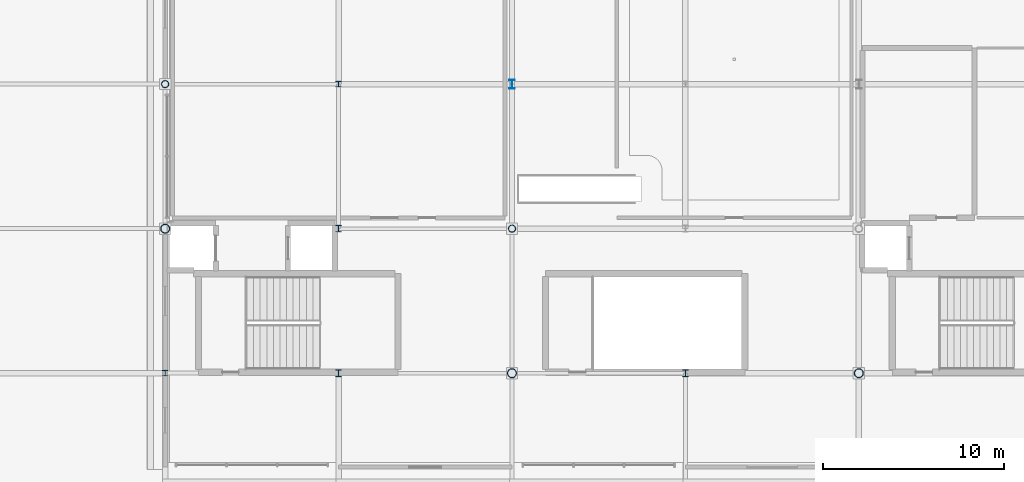
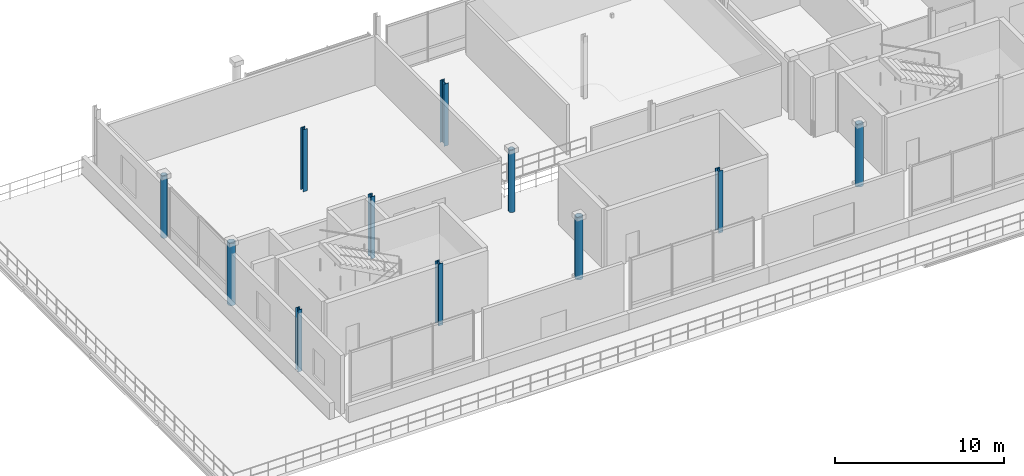
# One storey, part 1 of 26: 11 columns.
"""IFC4 building model written with IfcOpenShell, lengths in metres."""

from ifc_helpers import new_model, si_unit, direction, frame, origin, origin_2d, place, context, subcontext, project, spatial, hollow_circle, i_section, extrude, material, material_profile, profile_set, type_object, element, save


model = new_model("IFC4")

# Units and contexts
model_context = context("Model", 3, precision=1e-05, world=origin(), true_north=direction((0.0, 1.0)))
body_context = subcontext(model_context, "Body", "Model", "MODEL_VIEW")
ifc_project = project(units=[si_unit("LENGTHUNIT", "METRE"), si_unit("AREAUNIT", "SQUARE_METRE"), si_unit("VOLUMEUNIT", "CUBIC_METRE"), si_unit("PLANEANGLEUNIT", "RADIAN"), si_unit("MASSUNIT", "GRAM", prefix="KILO")], contexts=[model_context])

# Site, building, storey
site_placement = place(None, origin())
site = spatial("IfcSite", under=ifc_project, at=site_placement, CompositionType="ELEMENT")
building_placement = place(site_placement, origin())
building = spatial("IfcBuilding", under=site, at=building_placement, Name="Danafjord Basin Convention Centre", CompositionType="ELEMENT")
storey_placement = place(building_placement, frame((0.0, 0.0, 24.89990234375)))
storey = spatial("IfcBuildingStorey", under=building, at=storey_placement, Name="L05", CompositionType="ELEMENT", Elevation=24.89990234375)

# Columns
ifc_material = material(Name="Steel S355", Category="steel")
ifc_material_profile_1 = material_profile(ifc_material, hollow_circle(Radius=0.203125, WallThickness=0.02001953125, at=origin_2d()), Name="CHS 406.4x20.0")
ifc_profile_set_1 = profile_set([ifc_material_profile_1], Name="Steel S355")
column_type_1 = type_object("IfcColumnType", Name="COL-C-CHS406", PredefinedType="COLUMN", material=ifc_profile_set_1)
for number, where, z_axis, x_axis, name in (
    (1, (9.60009765625, 32.0, 0.0), (0.0, 0.0, 1.0), (1.0, 0.0, 0.0), "L05 column C-CHS406 at (9.6, 32.0)"),
    (2, (28.800048828125, 24.0, 0.0), (0.0, 0.0, 1.0), (1.0, 0.0, 0.0), "L05 column C-CHS406 at (28.8, 24.0)"),
):
    element("IfcColumn", number, at=place(storey_placement, frame(where, z_axis=z_axis, x_axis=x_axis)), inside=storey, type_object=column_type_1, Name=name, PredefinedType="COLUMN", context=body_context, shape_type="SweptSolid", body=[
        extrude(hollow_circle(Radius=0.203125, WallThickness=0.02001953125, at=origin_2d()), origin(), (0.0, 0.0, 1.0), 4.5),
    ])
ifc_material_profile_2 = material_profile(ifc_material, hollow_circle(Radius=0.25390625, WallThickness=0.02490234375, at=origin_2d()), Name="CHS 508.0x25.0")
ifc_profile_set_2 = profile_set([ifc_material_profile_2], Name="Steel S355")
column_type_2 = type_object("IfcColumnType", Name="COL-C-CHS508", PredefinedType="COLUMN", material=ifc_profile_set_2)
for number, where, z_axis, x_axis, name in (
    (3, (9.60009765625, 24.0, 0.0), (0.0, 0.0, 1.0), (1.0, 0.0, 0.0), "L05 column C-CHS508 at (9.6, 24.0)"),
    (4, (28.800048828125, 16.0, 0.0), (0.0, 0.0, 1.0), (1.0, 0.0, 0.0), "L05 column C-CHS508 at (28.8, 16.0)"),
    (5, (48.0, 16.0, 0.0), (0.0, 0.0, 1.0), (1.0, 0.0, 0.0), "L05 column C-CHS508 at (48.0, 16.0)"),
):
    element("IfcColumn", number, at=place(storey_placement, frame(where, z_axis=z_axis, x_axis=x_axis)), inside=storey, type_object=column_type_2, Name=name, PredefinedType="COLUMN", context=body_context, shape_type="SweptSolid", body=[
        extrude(hollow_circle(Radius=0.25390625, WallThickness=0.02490234375, at=origin_2d()), origin(), (0.0, 0.0, 1.0), 4.5),
    ])
ifc_material_profile_3 = material_profile(ifc_material, i_section(OverallWidth=0.300048828125, OverallDepth=0.300048828125, WebThickness=0.010986328125, FlangeThickness=0.01904296875, FilletRadius=0.027099609375, at=origin_2d()), Name="HEB 300")
ifc_profile_set_3 = profile_set([ifc_material_profile_3], Name="Steel S355")
column_type_3 = type_object("IfcColumnType", Name="COL-C-HEB300", PredefinedType="COLUMN", material=ifc_profile_set_3)
for number, where, z_axis, x_axis, name in (
    (6, (9.60009765625, 16.0, 0.0), (0.0, 0.0, 1.0), (1.0, 0.0, 0.0), "L05 column C-HEB300 at (9.6, 16.0)"),
    (7, (19.199951171875, 32.0, 0.0), (0.0, 0.0, 1.0), (1.0, 0.0, 0.0), "L05 column C-HEB300 at (19.2, 32.0)"),
):
    element("IfcColumn", number, at=place(storey_placement, frame(where, z_axis=z_axis, x_axis=x_axis)), inside=storey, type_object=column_type_3, Name=name, PredefinedType="COLUMN", context=body_context, shape_type="SweptSolid", body=[
        extrude(i_section(OverallWidth=0.300048828125, OverallDepth=0.300048828125, WebThickness=0.010986328125, FlangeThickness=0.01904296875, FilletRadius=0.027099609375, at=origin_2d()), origin(), (0.0, 0.0, 1.0), 4.5),
    ])
ifc_material_profile_4 = material_profile(ifc_material, i_section(OverallWidth=0.300048828125, OverallDepth=0.360107421875, WebThickness=0.012451171875, FlangeThickness=0.0224609375, FilletRadius=0.027099609375, at=origin_2d()), Name="HEB 360")
ifc_profile_set_4 = profile_set([ifc_material_profile_4], Name="Steel S355")
column_type_4 = type_object("IfcColumnType", Name="COL-C-HEB360", PredefinedType="COLUMN", material=ifc_profile_set_4)
column_1_placement = place(storey_placement, frame((19.199951171875, 24.0, 0.0), z_axis=(0.0, 0.0, 1.0), x_axis=(1.0, 0.0, 0.0)))
element("IfcColumn", 8, at=column_1_placement, inside=storey, type_object=column_type_4, Name="L05 column C-HEB360 at (19.2, 24.0)", PredefinedType="COLUMN", context=body_context, shape_type="SweptSolid", body=[
    extrude(i_section(OverallWidth=0.300048828125, OverallDepth=0.360107421875, WebThickness=0.012451171875, FlangeThickness=0.0224609375, FilletRadius=0.027099609375, at=origin_2d()), origin(), (0.0, 0.0, 1.0), 4.5),
])
ifc_material_profile_5 = material_profile(ifc_material, i_section(OverallWidth=0.300048828125, OverallDepth=0.39990234375, WebThickness=0.013427734375, FlangeThickness=0.02392578125, FilletRadius=0.027099609375, at=origin_2d()), Name="HEB 400")
ifc_profile_set_5 = profile_set([ifc_material_profile_5], Name="Steel S355")
column_type_5 = type_object("IfcColumnType", Name="COL-C-HEB400", PredefinedType="COLUMN", material=ifc_profile_set_5)
for number, where, z_axis, x_axis, name in (
    (9, (19.199951171875, 16.0, 0.0), (0.0, 0.0, 1.0), (1.0, 0.0, 0.0), "L05 column C-HEB400 at (19.2, 16.0)"),
    (10, (38.39990234375, 16.0, 0.0), (0.0, 0.0, 1.0), (1.0, 0.0, 0.0), "L05 column C-HEB400 at (38.4, 16.0)"),
):
    element("IfcColumn", number, at=place(storey_placement, frame(where, z_axis=z_axis, x_axis=x_axis)), inside=storey, type_object=column_type_5, Name=name, PredefinedType="COLUMN", context=body_context, shape_type="SweptSolid", body=[
        extrude(i_section(OverallWidth=0.300048828125, OverallDepth=0.39990234375, WebThickness=0.013427734375, FlangeThickness=0.02392578125, FilletRadius=0.027099609375, at=origin_2d()), origin(), (0.0, 0.0, 1.0), 4.5),
    ])
ifc_material_profile_6 = material_profile(ifc_material, i_section(OverallWidth=0.300048828125, OverallDepth=0.5, WebThickness=0.014404296875, FlangeThickness=0.028076171875, FilletRadius=0.027099609375, at=origin_2d()), Name="HEB 500")
ifc_profile_set_6 = profile_set([ifc_material_profile_6], Name="Steel S355")
column_type_6 = type_object("IfcColumnType", Name="COL-C-HEB500", PredefinedType="COLUMN", material=ifc_profile_set_6)
column_2_placement = place(storey_placement, frame((28.800048828125, 32.0, 0.0), z_axis=(0.0, 0.0, 1.0), x_axis=(1.0, 0.0, 0.0)))
element("IfcColumn", 11, at=column_2_placement, inside=storey, type_object=column_type_6, Name="L05 column C-HEB500 at (28.8, 32.0)", PredefinedType="COLUMN", context=body_context, shape_type="SweptSolid", body=[
    extrude(i_section(OverallWidth=0.300048828125, OverallDepth=0.5, WebThickness=0.014404296875, FlangeThickness=0.028076171875, FilletRadius=0.027099609375, at=origin_2d()), origin(), (0.0, 0.0, 1.0), 4.5),
])

save(model, "model.ifc")
